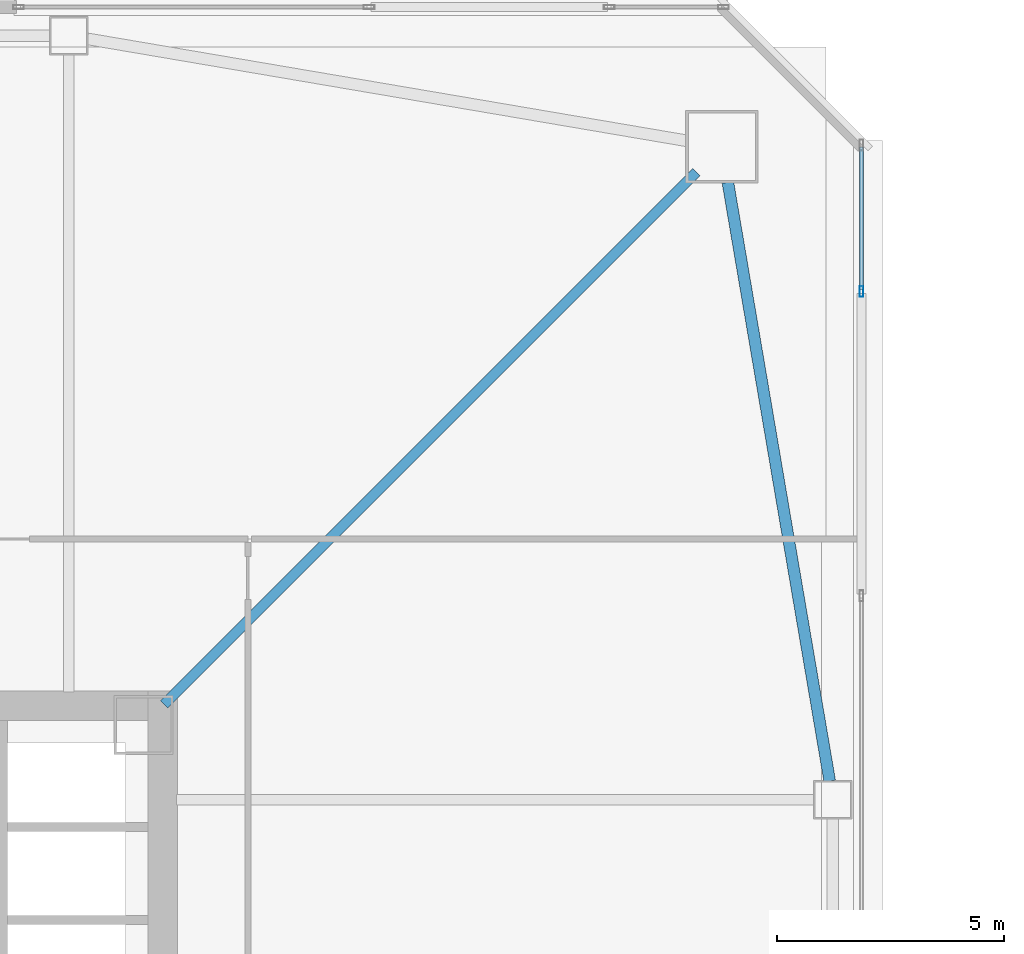
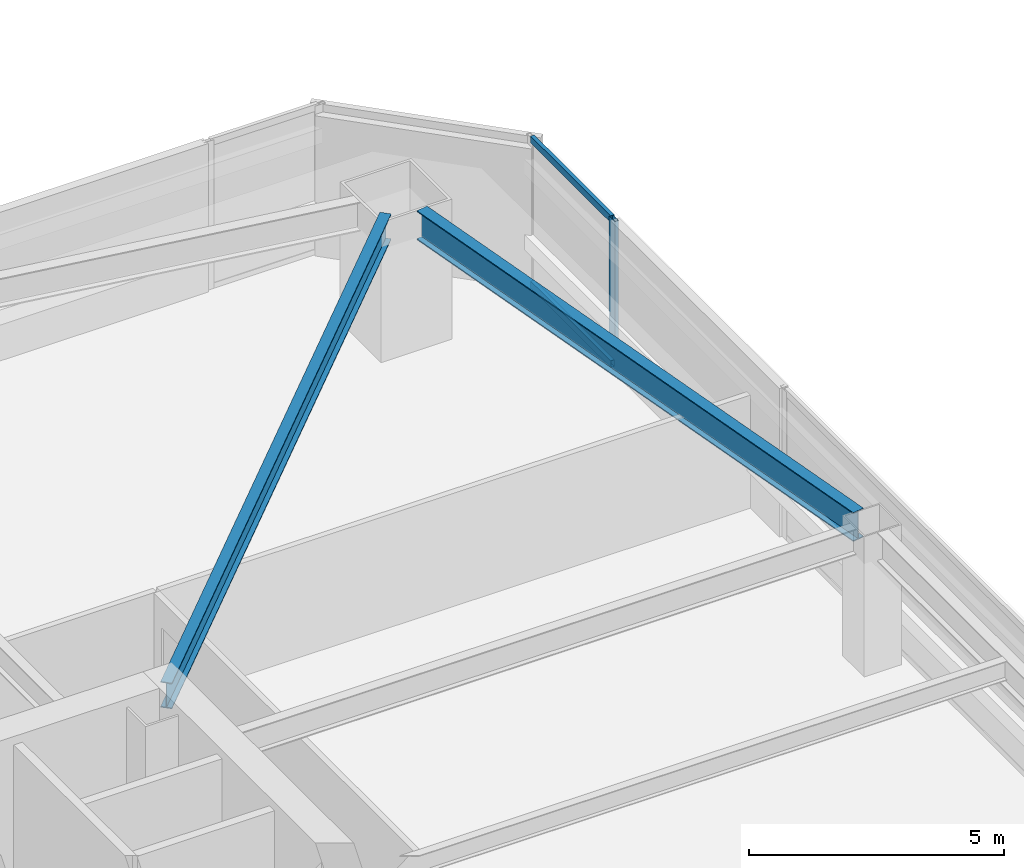
# One storey, part 18 of 48: 3 members, 2 beams, 1 element without a shape of its own.
"""IFC4 building model written with IfcOpenShell, lengths in metres."""

from ifc_helpers import new_model, si_unit, direction, frame, origin, origin_2d, place, context, subcontext, project, spatial, hollow_rectangle, i_section, extrude, material, material_profile, profile_set, type_object, element, aggregate, save


model = new_model("IFC4")

# Units and contexts
model_context = context("Model", 3, precision=1e-05, world=origin(), true_north=direction((0.0, 1.0)))
body_context = subcontext(model_context, "Body", "Model", "MODEL_VIEW")
ifc_project = project(units=[si_unit("LENGTHUNIT", "METRE"), si_unit("AREAUNIT", "SQUARE_METRE"), si_unit("VOLUMEUNIT", "CUBIC_METRE"), si_unit("PLANEANGLEUNIT", "RADIAN"), si_unit("MASSUNIT", "GRAM", prefix="KILO")], contexts=[model_context])

# Site, building, storey
site_placement = place(None, origin())
site = spatial("IfcSite", under=ifc_project, at=site_placement, CompositionType="ELEMENT")
building_placement = place(site_placement, origin())
building = spatial("IfcBuilding", under=site, at=building_placement, Name="Tashvorn Skyway Center", CompositionType="ELEMENT")
storey_placement = place(building_placement, frame((0.0, 0.0, 53.0)))
storey = spatial("IfcBuildingStorey", under=building, at=storey_placement, Name="L13", CompositionType="ELEMENT", Elevation=53.0)

# Beams
ifc_material_1 = material(Name="Steel ASTM A992 Grade 50", Category="steel")
ifc_material_profile_1 = material_profile(ifc_material_1, i_section(OverallWidth=0.22998046875, OverallDepth=0.616943359375, WebThickness=0.01318359375, FlangeThickness=0.022216796875, at=origin_2d()), Name="W24X94")
ifc_profile_set_1 = profile_set([ifc_material_profile_1], Name="Steel ASTM A992 Grade 50")
beam_type_1 = type_object("IfcBeamType", Name="BM-BEAM-W24X94", PredefinedType="BEAM", material=ifc_profile_set_1)
beam_1_placement = place(storey_placement, frame((61.23779296875, 51.23779296875, 3.04150390625), z_axis=(-0.707106781187, -0.707106781187, 0.0), x_axis=(0.707106781187, -0.707106781187, 0.0)))
element("IfcBeam", 1, at=beam_1_placement, inside=storey, type_object=beam_type_1, Name="Tower 1 L13 Primary Floor Girder MC-NE", PredefinedType="BEAM", context=body_context, shape_type="SweptSolid", body=[
    extrude(i_section(OverallWidth=0.22998046875, OverallDepth=0.616943359375, WebThickness=0.01318359375, FlangeThickness=0.022216796875, at=origin_2d()), origin(), (0.0, 0.0, 1.0), 16.591064453125),
])
ifc_material_profile_2 = material_profile(ifc_material_1, i_section(OverallWidth=0.256103515625, OverallDepth=0.693115234375, WebThickness=0.014404296875, FlangeThickness=0.023681640625, at=origin_2d()), Name="W27X114")
ifc_profile_set_2 = profile_set([ifc_material_profile_2], Name="Steel ASTM A992 Grade 50")
beam_type_2 = type_object("IfcBeamType", Name="BM-SPANDREL-W27X114", PredefinedType="SPANDREL", material=ifc_profile_set_2)
beam_2_placement = place(storey_placement, frame((64.179443359375, 37.81396484375, 3.00341796875), z_axis=(-0.16771792509, 0.985835025551, 0.0), x_axis=(-0.985835025551, -0.16771792509, 0.0)))
element("IfcBeam", 2, at=beam_2_placement, inside=storey, type_object=beam_type_2, Name="Tower 1 L13 Spandrel Beam 06", PredefinedType="SPANDREL", context=body_context, shape_type="SweptSolid", body=[
    extrude(i_section(OverallWidth=0.256103515625, OverallDepth=0.693115234375, WebThickness=0.014404296875, FlangeThickness=0.023681640625, at=origin_2d()), origin(), (0.0, 0.0, 1.0), 13.39208984375),
])

# Curtain wall, members
ifc_material_2 = material(Name="Thermally broken bronze-anodized aluminium 6063-T6", Category="aluminium")
curtain_wall_type = type_object("IfcCurtainWallType", Name="CW-CW-Z1", PredefinedType="NOTDEFINED", material=ifc_material_2)
curtain_wall_placement = place(storey_placement, origin())
curtain_wall = element("IfcCurtainWall", 3, at=curtain_wall_placement, inside=storey, type_object=curtain_wall_type, Name="Tower 1 L13 East Unitised Curtain Wall Glazing Group 1", PredefinedType="NOTDEFINED")
ifc_material_profile_3 = material_profile(ifc_material_2, hollow_rectangle(XDim=0.0849609375, YDim=0.239990234375, WallThickness=0.0048828125, at=origin_2d()), Name="ALU-MULL-85x240")
ifc_profile_set_3 = profile_set([ifc_material_profile_3], Name="Thermally broken bronze-anodized aluminium 6063-T6")
member_type_1 = type_object("IfcMemberType", Name="CWM-CW-Z1", PredefinedType="MULLION", material=ifc_profile_set_3)
member_1_placement = place(storey_placement, frame((64.8798828125, 48.609130859375, 0.0), z_axis=(0.0, 0.0, 1.0), x_axis=(1.0, 0.0, 0.0)))
member_1 = element("IfcMember", 4, at=member_1_placement, type_object=member_type_1, Name="CW-Z1 mullion 2", PredefinedType="MULLION", context=body_context, shape_type="SweptSolid", body=[
    extrude(hollow_rectangle(XDim=0.0849609375, YDim=0.239990234375, WallThickness=0.0048828125, at=origin_2d()), origin(), (0.0, 0.0, 1.0), 3.550048828125),
])
ifc_material_profile_4 = material_profile(ifc_material_2, hollow_rectangle(XDim=0.0849609375, YDim=0.1650390625, WallThickness=0.0048828125, at=origin_2d()), Name="ALU-TRAN-85x165")
ifc_profile_set_4 = profile_set([ifc_material_profile_4], Name="Thermally broken bronze-anodized aluminium 6063-T6")
member_type_2 = type_object("IfcMemberType", Name="CWT-CW-Z1", PredefinedType="USERDEFINED", material=ifc_profile_set_4)
member_2_placement = place(storey_placement, frame((64.8798828125, 51.794921875, 0.04248046875), z_axis=(0.0, -1.0, 0.0), x_axis=(1.0, 0.0, 0.0)))
member_2 = element("IfcMember", 5, at=member_2_placement, type_object=member_type_2, Name="CW-Z1 transom 1.1", ObjectType="TRANSOM", PredefinedType="USERDEFINED", context=body_context, shape_type="SweptSolid", body=[
    extrude(hollow_rectangle(XDim=0.0849609375, YDim=0.1650390625, WallThickness=0.0048828125, at=origin_2d()), origin(), (0.0, 0.0, 1.0), 3.143310546875),
])
member_3_placement = place(storey_placement, frame((64.8798828125, 51.794921875, 3.507568359375), z_axis=(0.0, -1.0, 0.0), x_axis=(1.0, 0.0, 0.0)))
member_3 = element("IfcMember", 6, at=member_3_placement, type_object=member_type_2, Name="CW-Z1 transom 1.2", ObjectType="TRANSOM", PredefinedType="USERDEFINED", context=body_context, shape_type="SweptSolid", body=[
    extrude(hollow_rectangle(XDim=0.0849609375, YDim=0.1650390625, WallThickness=0.0048828125, at=origin_2d()), origin(), (0.0, 0.0, 1.0), 3.143310546875),
])
aggregate(curtain_wall, [member_1, member_2, member_3])

save(model, "model.ifc")
